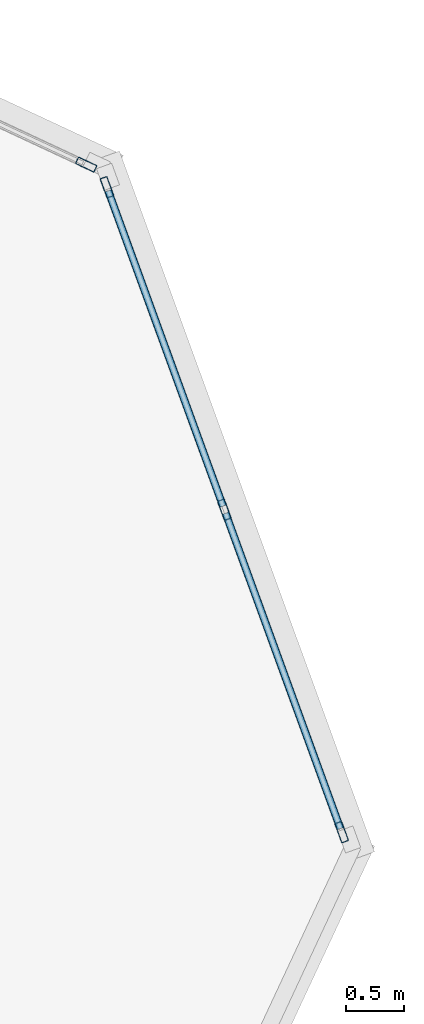
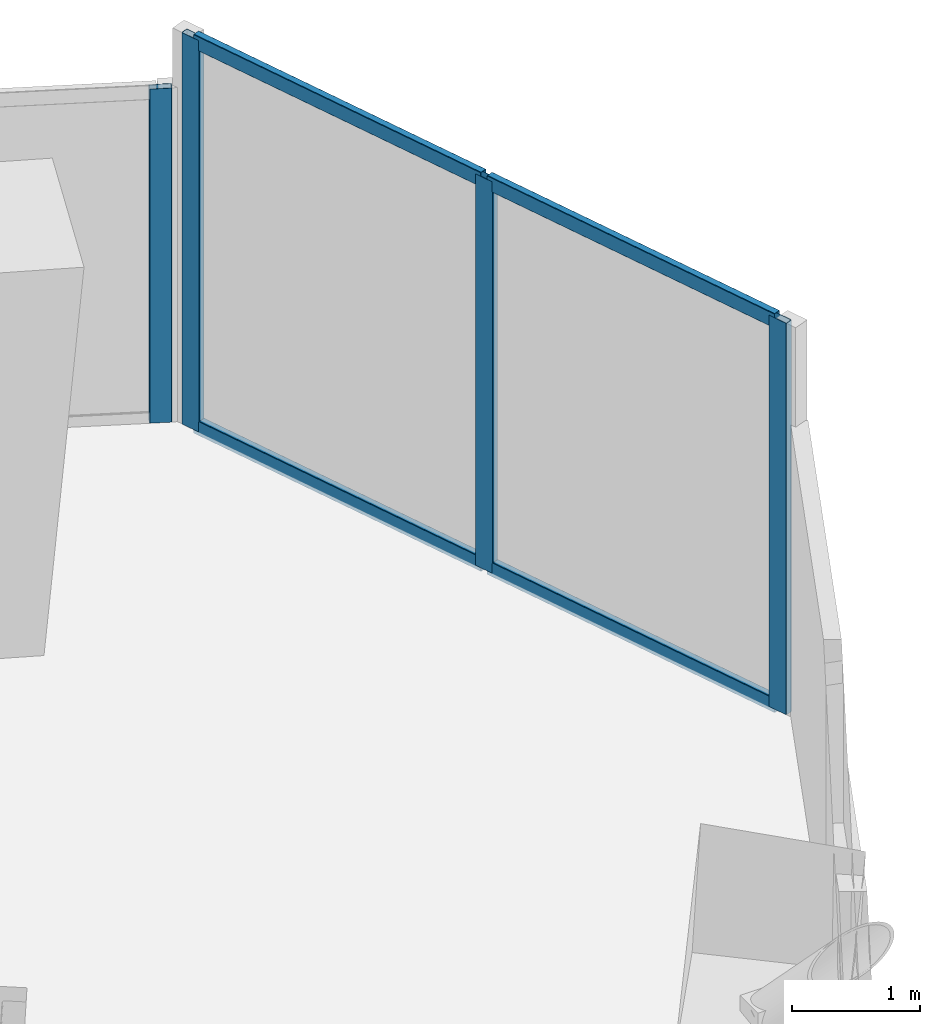
# One storey, part 10 of 21: 8 members, 2 elements without a shape of their own.
"""IFC4 building model written with IfcOpenShell, lengths in metres."""

from ifc_helpers import new_model, si_unit, direction, frame, origin, origin_2d, place, context, subcontext, project, spatial, hollow_rectangle, extrude, source, transform, mapped, material, material_profile, profile_set, type_object, element, aggregate, save


model = new_model("IFC4")

# Units and contexts
model_context = context("Model", 3, precision=1e-05, world=origin(), true_north=direction((0.0, 1.0)))
body_context = subcontext(model_context, "Body", "Model", "MODEL_VIEW")
ifc_project = project(units=[si_unit("LENGTHUNIT", "METRE"), si_unit("AREAUNIT", "SQUARE_METRE"), si_unit("VOLUMEUNIT", "CUBIC_METRE"), si_unit("PLANEANGLEUNIT", "RADIAN"), si_unit("MASSUNIT", "GRAM", prefix="KILO")], contexts=[model_context])

# Site, building, storey
site_placement = place(None, origin())
site = spatial("IfcSite", under=ifc_project, at=site_placement, CompositionType="ELEMENT")
building_placement = place(site_placement, origin())
building = spatial("IfcBuilding", under=site, at=building_placement, Name="Torre Montelarca", CompositionType="ELEMENT")
storey_placement = place(building_placement, frame((0.0, 0.0, 162.39990234375)))
storey = spatial("IfcBuildingStorey", under=building, at=storey_placement, Name="L36", CompositionType="ELEMENT", Elevation=162.39990234375)

# Curtain wall, members
ifc_material_1 = material(Name="Insulated low-E laminated glass", Category="glass")
curtain_wall_type = type_object("IfcCurtainWallType", Name="CW-SYS-Z2", PredefinedType="USERDEFINED", material=ifc_material_1)
curtain_wall_1_placement = place(storey_placement, origin())
curtain_wall_1 = element("IfcCurtainWall", 1, at=curtain_wall_1_placement, inside=storey, type_object=curtain_wall_type, Name="L36 Curtain Wall Run CW-T3-L36-E07-B1", ObjectType="UNITISED GLAZING", PredefinedType="USERDEFINED")
ifc_material_2 = material(Name="Anodised aluminium AA 6063-T6", Category="aluminium")
ifc_material_profile_1 = material_profile(ifc_material_2, hollow_rectangle(XDim=0.06494140625, YDim=0.139892578125, WallThickness=0.00390625, InnerFilletRadius=0.00390625, OuterFilletRadius=0.008056640625, at=origin_2d()), Name="ALU65X140X4", Category="aluminium")
ifc_profile_set_1 = profile_set([ifc_material_profile_1], Name="Anodised aluminium AA 6063-T6")
member_type_1 = type_object("IfcMemberType", Name="CWT-ALU140", PredefinedType="USERDEFINED", material=ifc_profile_set_1)
shared_shape_1 = source(origin(), body_context, "Body", "SweptSolid", [
    extrude(hollow_rectangle(XDim=0.06494140625, YDim=0.139892578125, WallThickness=0.00390625, InnerFilletRadius=0.00390625, OuterFilletRadius=0.008056640625, at=origin_2d()), origin(), (0.0, 0.0, 1.0), 2.918701171875),
])
member_1_placement = place(storey_placement, frame((51.076416015625, 31.196533203125, 0.03271484375), z_axis=(-0.342031842172, 0.939688362671, 0.0), x_axis=(-0.939688362671, -0.342031842172, 0.0)))
member_1 = element("IfcMember", 2, at=member_1_placement, type_object=member_type_1, Name="CW transom 1.1", ObjectType="TRANSOM", PredefinedType="USERDEFINED", context=body_context, shape_type="MappedRepresentation", body=[
    mapped(shared_shape_1, transform((0.0, 0.0, 0.0), scale=1.0)),
])
member_2_placement = place(storey_placement, frame((51.076416015625, 31.196533203125, 3.6875), z_axis=(-0.342031842172, 0.939688362671, 0.0), x_axis=(-0.939688362671, -0.342031842172, 0.0)))
member_2 = element("IfcMember", 3, at=member_2_placement, type_object=member_type_1, Name="CW transom 1.2", ObjectType="TRANSOM", PredefinedType="USERDEFINED", context=body_context, shape_type="MappedRepresentation", body=[
    mapped(shared_shape_1, transform((0.0, 0.0, 0.0), scale=1.0)),
])
shared_shape_2 = source(origin(), body_context, "Body", "SweptSolid", [
    extrude(hollow_rectangle(XDim=0.06494140625, YDim=0.139892578125, WallThickness=0.00390625, InnerFilletRadius=0.00390625, OuterFilletRadius=0.008056640625, at=origin_2d()), origin(), (0.0, 0.0, 1.0), 2.91845703125),
])
member_3_placement = place(storey_placement, frame((50.055908203125, 34.000244140625, 0.03271484375), z_axis=(-0.342058728513, 0.939678576029, 0.0), x_axis=(-0.939678576029, -0.342058728513, 0.0)))
member_3 = element("IfcMember", 4, at=member_3_placement, type_object=member_type_1, Name="CW transom 2.1", ObjectType="TRANSOM", PredefinedType="USERDEFINED", context=body_context, shape_type="MappedRepresentation", body=[
    mapped(shared_shape_2, transform((0.0, 0.0, 0.0), scale=1.0)),
])
member_4_placement = place(storey_placement, frame((50.055908203125, 34.000244140625, 3.6875), z_axis=(-0.342058728513, 0.939678576029, 0.0), x_axis=(-0.939678576029, -0.342058728513, 0.0)))
member_4 = element("IfcMember", 5, at=member_4_placement, type_object=member_type_1, Name="CW transom 2.2", ObjectType="TRANSOM", PredefinedType="USERDEFINED", context=body_context, shape_type="MappedRepresentation", body=[
    mapped(shared_shape_2, transform((0.0, 0.0, 0.0), scale=1.0)),
])
ifc_material_profile_2 = material_profile(ifc_material_2, hollow_rectangle(XDim=0.06494140625, YDim=0.179931640625, WallThickness=0.00390625, InnerFilletRadius=0.00390625, OuterFilletRadius=0.008056640625, at=origin_2d()), Name="ALU65X180X4", Category="aluminium")
ifc_profile_set_2 = profile_set([ifc_material_profile_2], Name="Anodised aluminium AA 6063-T6")
member_type_2 = type_object("IfcMemberType", Name="CWM-ALU180", PredefinedType="MULLION", material=ifc_profile_set_2)
shared_shape_3 = source(origin(), body_context, "Body", "SweptSolid", [
    extrude(hollow_rectangle(XDim=0.06494140625, YDim=0.179931640625, WallThickness=0.00390625, InnerFilletRadius=0.00390625, OuterFilletRadius=0.008056640625, at=origin_2d()), origin(), (0.0, 0.0, 1.0), 3.72021484375),
])
member_5_placement = place(storey_placement, frame((51.08740234375, 31.166015625, 0.0), z_axis=(0.0, 0.0, 1.0), x_axis=(-0.939692220055, -0.342021244323, 0.0)))
member_5 = element("IfcMember", 6, at=member_5_placement, type_object=member_type_2, Name="CW mullion 1", PredefinedType="MULLION", context=body_context, shape_type="MappedRepresentation", body=[
    mapped(shared_shape_3, transform((0.0, 0.0, 0.0), scale=1.0)),
])
member_6_placement = place(storey_placement, frame((50.067138671875, 33.9697265625, 0.0), z_axis=(0.0, 0.0, 1.0), x_axis=(-0.939692220055, -0.342021244323, 0.0)))
member_6 = element("IfcMember", 7, at=member_6_placement, type_object=member_type_2, Name="CW mullion 2", PredefinedType="MULLION", context=body_context, shape_type="MappedRepresentation", body=[
    mapped(shared_shape_3, transform((0.0, 0.0, 0.0), scale=1.0)),
])
member_7_placement = place(storey_placement, frame((49.046630859375, 36.773193359375, 0.0), z_axis=(0.0, 0.0, 1.0), x_axis=(-0.939692220055, -0.342021244323, 0.0)))
member_7 = element("IfcMember", 8, at=member_7_placement, type_object=member_type_2, Name="CW mullion 3", PredefinedType="MULLION", context=body_context, shape_type="MappedRepresentation", body=[
    mapped(shared_shape_3, transform((0.0, 0.0, 0.0), scale=1.0)),
])
aggregate(curtain_wall_1, [member_5, member_6, member_7, member_1, member_2, member_3, member_4])

# Curtain wall, member
curtain_wall_2_placement = place(storey_placement, origin())
curtain_wall_2 = element("IfcCurtainWall", 9, at=curtain_wall_2_placement, inside=storey, type_object=curtain_wall_type, Name="L36 Curtain Wall Run CW-T3-L36-E08-B1", ObjectType="UNITISED GLAZING", PredefinedType="USERDEFINED")
shared_shape_4 = source(origin(), body_context, "Body", "SweptSolid", [
    extrude(hollow_rectangle(XDim=0.06494140625, YDim=0.179931640625, WallThickness=0.00390625, InnerFilletRadius=0.00390625, OuterFilletRadius=0.008056640625, at=origin_2d()), origin(), (0.0, 0.0, 1.0), 3.175048828125),
])
member_8_placement = place(storey_placement, frame((48.8662109375, 36.97021484375, 0.0), z_axis=(0.0, 0.0, 1.0), x_axis=(-0.422614347923, -0.90630961207, 0.0)))
member_8 = element("IfcMember", 10, at=member_8_placement, type_object=member_type_2, Name="CW mullion 1", PredefinedType="MULLION", context=body_context, shape_type="MappedRepresentation", body=[
    mapped(shared_shape_4, transform((0.0, 0.0, 0.0), scale=1.0)),
])
aggregate(curtain_wall_2, [member_8])

save(model, "model.ifc")
